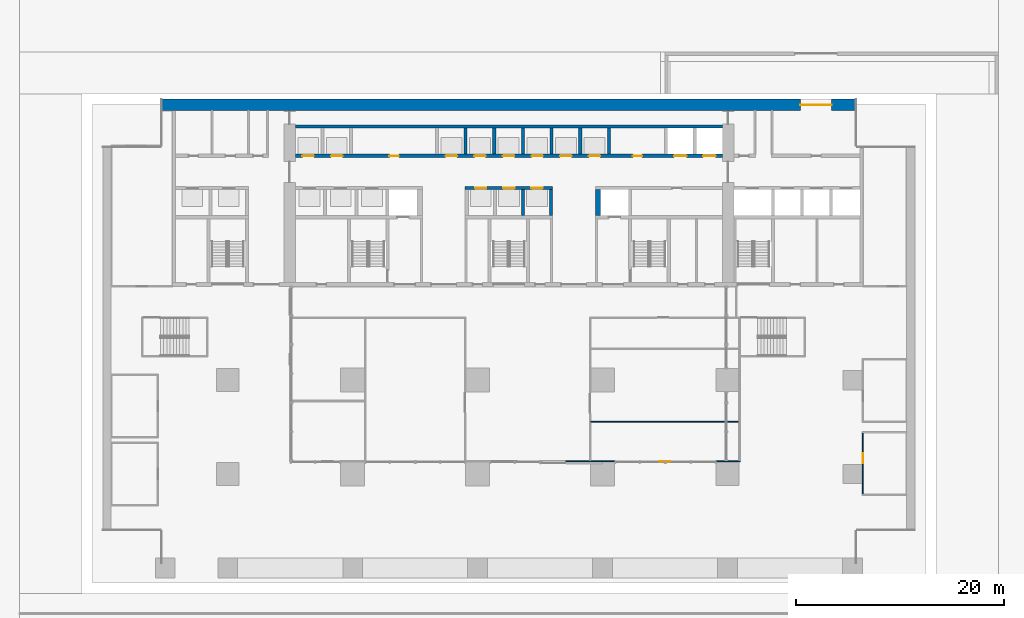
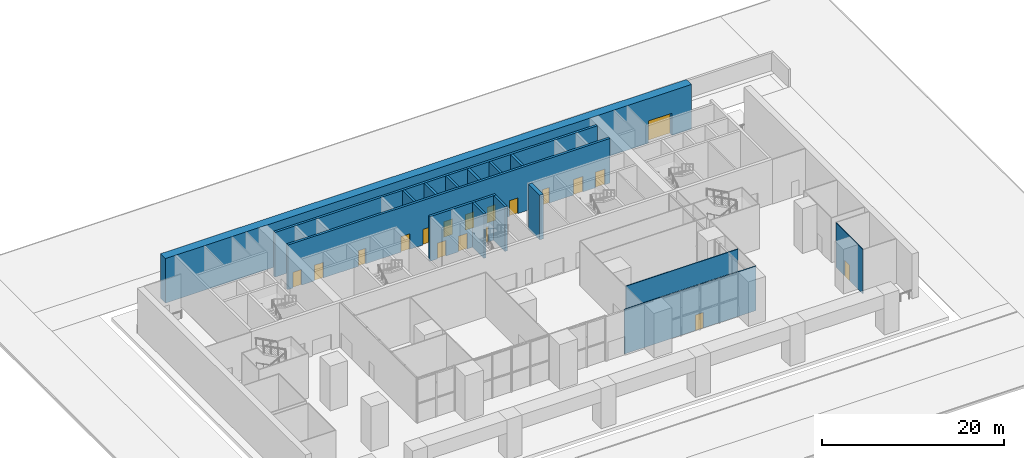
# One storey, part 8 of 16: 18 doors, 16 walls, 18 openings.
"""IFC4 building model written with IfcOpenShell, lengths in metres."""

from ifc_helpers import new_model, si_unit, direction, frame, frame_2d, origin, place, context, subcontext, project, spatial, rectangle, extrude, material, layer, layer_set, type_object, element, fill, save


model = new_model("IFC4")

# Units and contexts
model_context = context("Model", 3, precision=1e-05, world=origin(), true_north=direction((0.0, 1.0)))
body_context = subcontext(model_context, "Body", "Model", "MODEL_VIEW")
ifc_project = project(units=[si_unit("LENGTHUNIT", "METRE"), si_unit("AREAUNIT", "SQUARE_METRE"), si_unit("VOLUMEUNIT", "CUBIC_METRE"), si_unit("PLANEANGLEUNIT", "RADIAN"), si_unit("MASSUNIT", "GRAM", prefix="KILO")], contexts=[model_context])

# Site, building, storey
site_placement = place(None, origin())
site = spatial("IfcSite", under=ifc_project, at=site_placement, CompositionType="ELEMENT")
building_placement = place(site_placement, origin())
building = spatial("IfcBuilding", under=site, at=building_placement, Name="Calvaro Tower", CompositionType="ELEMENT")
storey_placement = place(building_placement, origin())
storey = spatial("IfcBuildingStorey", under=building, at=storey_placement, Name="L00", CompositionType="ELEMENT", Elevation=0.0)

# Wall, openings, doors
ifc_material_1 = material(Name="Concrete C80/95", Category="concrete")
ifc_layer_1 = layer(ifc_material_1, 0.300048828125)
ifc_layer_set_1 = layer_set([ifc_layer_1], Name="Concrete C80/95")
wall_type_1 = type_object("IfcWallType", Name="Core wall C80/95 300", PredefinedType="SHEAR", material=ifc_layer_set_1)
wall_1_placement = place(storey_placement, frame((34.800048828125, 37.449951171875, 0.0), z_axis=(0.0, 0.0, 1.0), x_axis=(1.0, 0.0, 0.0)))
wall_1 = element("IfcWall", 1, at=wall_1_placement, inside=storey, type_object=wall_type_1, Name="Core wall, lift shaft", PredefinedType="SHEAR", context=body_context, shape_type="SweptSolid", body=[
    extrude(rectangle(XDim=8.39990234375, YDim=0.300048828125, at=frame_2d((4.199951171875, 0.0))), origin(), (0.0, 0.0, 1.0), 6.0),
])
opening_1_placement = place(wall_1_placement, frame((0.949951171875, 0.0, 0.0)))
opening_1 = element("IfcOpeningElement", 2, at=opening_1_placement, cuts=wall_1, Name="Opening LR4", PredefinedType="OPENING", context=body_context, shape_type="SweptSolid", body=[
    extrude(rectangle(XDim=1.10009765625, YDim=2.10009765625, at=frame_2d((0.550048828125, 1.050048828125))), frame((0.0, 0.159912109375, 0.0), z_axis=(0.0, -1.0, 0.0), x_axis=(1.0, 0.0, 0.0)), (0.0, 0.0, 1.0), 0.320068359375),
])
opening_2_placement = place(wall_1_placement, frame((3.64990234375, 0.0, 0.0)))
opening_2 = element("IfcOpeningElement", 3, at=opening_2_placement, cuts=wall_1, Name="Opening LR5", PredefinedType="OPENING", context=body_context, shape_type="SweptSolid", body=[
    extrude(rectangle(XDim=1.10009765625, YDim=2.10009765625, at=frame_2d((0.550048828125, 1.050048828125))), frame((0.0, 0.159912109375, 0.0), z_axis=(0.0, -1.0, 0.0), x_axis=(1.0, 0.0, 0.0)), (0.0, 0.0, 1.0), 0.320068359375),
])
opening_3_placement = place(wall_1_placement, frame((6.35009765625, 0.0, 0.0)))
opening_3 = element("IfcOpeningElement", 4, at=opening_3_placement, cuts=wall_1, Name="Opening LR6", PredefinedType="OPENING", context=body_context, shape_type="SweptSolid", body=[
    extrude(rectangle(XDim=1.10009765625, YDim=2.10009765625, at=frame_2d((0.550048828125, 1.050048828125))), frame((0.0, 0.159912109375, 0.0), z_axis=(0.0, -1.0, 0.0), x_axis=(1.0, 0.0, 0.0)), (0.0, 0.0, 1.0), 0.320068359375),
])
ifc_material_2 = material(Name="Stainless steel", Category="steel")
door_type_1 = type_object("IfcDoorType", Name="Landing door 1100 E 60", OperationType="SLIDING_TO_LEFT", PredefinedType="DOOR", material=ifc_material_2)
door_1_placement = place(opening_1_placement, origin())
door_1 = element("IfcDoor", 5, at=door_1_placement, inside=storey, type_object=door_type_1, Name="Landing door LR4", OperationType="SLIDING_TO_LEFT", OverallHeight=2.10009765625, OverallWidth=1.10009765625, PredefinedType="DOOR", context=body_context, shape_type="SweptSolid", body=[
    extrude(rectangle(XDim=1.10009765625, YDim=2.10009765625, at=frame_2d((0.550048828125, 1.050048828125))), frame((0.0, 0.02490234375, 0.0), z_axis=(0.0, -1.0, 0.0), x_axis=(1.0, 0.0, 0.0)), (0.0, 0.0, 1.0), 0.050048828125),
])
fill(opening_1, door_1)
door_2_placement = place(opening_2_placement, origin())
door_2 = element("IfcDoor", 6, at=door_2_placement, inside=storey, type_object=door_type_1, Name="Landing door LR5", OperationType="SLIDING_TO_LEFT", OverallHeight=2.10009765625, OverallWidth=1.10009765625, PredefinedType="DOOR", context=body_context, shape_type="SweptSolid", body=[
    extrude(rectangle(XDim=1.10009765625, YDim=2.10009765625, at=frame_2d((0.550048828125, 1.050048828125))), frame((0.0, 0.02490234375, 0.0), z_axis=(0.0, -1.0, 0.0), x_axis=(1.0, 0.0, 0.0)), (0.0, 0.0, 1.0), 0.050048828125),
])
fill(opening_2, door_2)
door_3_placement = place(opening_3_placement, origin())
door_3 = element("IfcDoor", 7, at=door_3_placement, inside=storey, type_object=door_type_1, Name="Landing door LR6", OperationType="SLIDING_TO_LEFT", OverallHeight=2.10009765625, OverallWidth=1.10009765625, PredefinedType="DOOR", context=body_context, shape_type="SweptSolid", body=[
    extrude(rectangle(XDim=1.10009765625, YDim=2.10009765625, at=frame_2d((0.550048828125, 1.050048828125))), frame((0.0, 0.02490234375, 0.0), z_axis=(0.0, -1.0, 0.0), x_axis=(1.0, 0.0, 0.0)), (0.0, 0.0, 1.0), 0.050048828125),
])
fill(opening_3, door_3)

# Wall
wall_2_placement = place(storey_placement, frame((43.050048828125, 34.800048828125, 0.0), z_axis=(0.0, 0.0, 1.0), x_axis=(0.0, 1.0, 0.0)))
element("IfcWall", 8, at=wall_2_placement, inside=storey, type_object=wall_type_1, Name="Core wall, lift shaft", PredefinedType="SHEAR", context=body_context, shape_type="SweptSolid", body=[
    extrude(rectangle(XDim=2.5, YDim=0.300048828125, at=frame_2d((1.25, 0.0))), origin(), (0.0, 0.0, 1.0), 6.0),
])

# Wall, openings, doors
wall_3_placement = place(storey_placement, frame((18.5, 40.550048828125, 0.0), z_axis=(0.0, 0.0, 1.0), x_axis=(1.0, 0.0, 0.0)))
wall_3 = element("IfcWall", 9, at=wall_3_placement, inside=storey, type_object=wall_type_1, Name="Core wall, bay", PredefinedType="SHEAR", context=body_context, shape_type="SweptSolid", body=[
    extrude(rectangle(XDim=41.0, YDim=0.300048828125, at=frame_2d((20.5, 0.0))), origin(), (0.0, 0.0, 1.0), 6.0),
])
opening_4_placement = place(wall_3_placement, frame((9.02490234375, 0.0, 0.0)))
opening_4 = element("IfcOpeningElement", 10, at=opening_4_placement, cuts=wall_3, Name="Opening RD9C", PredefinedType="OPENING", context=body_context, shape_type="SweptSolid", body=[
    extrude(rectangle(XDim=0.89990234375, YDim=2.10009765625, at=frame_2d((0.449951171875, 1.050048828125))), frame((0.0, 0.159912109375, 0.0), z_axis=(0.0, -1.0, 0.0), x_axis=(1.0, 0.0, 0.0)), (0.0, 0.0, 1.0), 0.320068359375),
])
opening_5_placement = place(wall_3_placement, frame((32.39990234375, 0.0, 0.0)))
opening_5 = element("IfcOpeningElement", 11, at=opening_5_placement, cuts=wall_3, Name="Opening RD9C", PredefinedType="OPENING", context=body_context, shape_type="SweptSolid", body=[
    extrude(rectangle(XDim=0.89990234375, YDim=2.10009765625, at=frame_2d((0.449951171875, 1.050048828125))), frame((0.0, 0.159912109375, 0.0), z_axis=(0.0, -1.0, 0.0), x_axis=(1.0, 0.0, 0.0)), (0.0, 0.0, 1.0), 0.320068359375),
])
opening_6_placement = place(wall_3_placement, frame((0.675048828125, 0.0, 0.0)))
opening_6 = element("IfcOpeningElement", 12, at=opening_6_placement, cuts=wall_3, Name="Opening SH1", PredefinedType="OPENING", context=body_context, shape_type="SweptSolid", body=[
    extrude(rectangle(XDim=1.10009765625, YDim=2.10009765625, at=frame_2d((0.550048828125, 1.050048828125))), frame((0.0, 0.159912109375, 0.0), z_axis=(0.0, -1.0, 0.0), x_axis=(1.0, 0.0, 0.0)), (0.0, 0.0, 1.0), 0.320068359375),
])
opening_7_placement = place(wall_3_placement, frame((3.425048828125, 0.0, 0.0)))
opening_7 = element("IfcOpeningElement", 13, at=opening_7_placement, cuts=wall_3, Name="Opening SH2", PredefinedType="OPENING", context=body_context, shape_type="SweptSolid", body=[
    extrude(rectangle(XDim=1.10009765625, YDim=2.10009765625, at=frame_2d((0.550048828125, 1.050048828125))), frame((0.0, 0.159912109375, 0.0), z_axis=(0.0, -1.0, 0.0), x_axis=(1.0, 0.0, 0.0)), (0.0, 0.0, 1.0), 0.320068359375),
])
opening_8_placement = place(wall_3_placement, frame((14.425048828125, 0.0, 0.0)))
opening_8 = element("IfcOpeningElement", 14, at=opening_8_placement, cuts=wall_3, Name="Opening LR7", PredefinedType="OPENING", context=body_context, shape_type="SweptSolid", body=[
    extrude(rectangle(XDim=1.10009765625, YDim=2.10009765625, at=frame_2d((0.550048828125, 1.050048828125))), frame((0.0, 0.159912109375, 0.0), z_axis=(0.0, -1.0, 0.0), x_axis=(1.0, 0.0, 0.0)), (0.0, 0.0, 1.0), 0.320068359375),
])
opening_9_placement = place(wall_3_placement, frame((17.175048828125, 0.0, 0.0)))
opening_9 = element("IfcOpeningElement", 15, at=opening_9_placement, cuts=wall_3, Name="Opening LR8", PredefinedType="OPENING", context=body_context, shape_type="SweptSolid", body=[
    extrude(rectangle(XDim=1.10009765625, YDim=2.10009765625, at=frame_2d((0.550048828125, 1.050048828125))), frame((0.0, 0.159912109375, 0.0), z_axis=(0.0, -1.0, 0.0), x_axis=(1.0, 0.0, 0.0)), (0.0, 0.0, 1.0), 0.320068359375),
])
opening_10_placement = place(wall_3_placement, frame((19.925048828125, 0.0, 0.0)))
opening_10 = element("IfcOpeningElement", 16, at=opening_10_placement, cuts=wall_3, Name="Opening LR9", PredefinedType="OPENING", context=body_context, shape_type="SweptSolid", body=[
    extrude(rectangle(XDim=1.10009765625, YDim=2.10009765625, at=frame_2d((0.550048828125, 1.050048828125))), frame((0.0, 0.159912109375, 0.0), z_axis=(0.0, -1.0, 0.0), x_axis=(1.0, 0.0, 0.0)), (0.0, 0.0, 1.0), 0.320068359375),
])
opening_11_placement = place(wall_3_placement, frame((22.675048828125, 0.0, 0.0)))
opening_11 = element("IfcOpeningElement", 17, at=opening_11_placement, cuts=wall_3, Name="Opening LR10", PredefinedType="OPENING", context=body_context, shape_type="SweptSolid", body=[
    extrude(rectangle(XDim=1.10009765625, YDim=2.10009765625, at=frame_2d((0.550048828125, 1.050048828125))), frame((0.0, 0.159912109375, 0.0), z_axis=(0.0, -1.0, 0.0), x_axis=(1.0, 0.0, 0.0)), (0.0, 0.0, 1.0), 0.320068359375),
])
opening_12_placement = place(wall_3_placement, frame((25.425048828125, 0.0, 0.0)))
opening_12 = element("IfcOpeningElement", 18, at=opening_12_placement, cuts=wall_3, Name="Opening SH3", PredefinedType="OPENING", context=body_context, shape_type="SweptSolid", body=[
    extrude(rectangle(XDim=1.10009765625, YDim=2.10009765625, at=frame_2d((0.550048828125, 1.050048828125))), frame((0.0, 0.159912109375, 0.0), z_axis=(0.0, -1.0, 0.0), x_axis=(1.0, 0.0, 0.0)), (0.0, 0.0, 1.0), 0.320068359375),
])
opening_13_placement = place(wall_3_placement, frame((28.175048828125, 0.0, 0.0)))
opening_13 = element("IfcOpeningElement", 19, at=opening_13_placement, cuts=wall_3, Name="Opening SH4", PredefinedType="OPENING", context=body_context, shape_type="SweptSolid", body=[
    extrude(rectangle(XDim=1.10009765625, YDim=2.10009765625, at=frame_2d((0.550048828125, 1.050048828125))), frame((0.0, 0.159912109375, 0.0), z_axis=(0.0, -1.0, 0.0), x_axis=(1.0, 0.0, 0.0)), (0.0, 0.0, 1.0), 0.320068359375),
])
opening_14_placement = place(wall_3_placement, frame((36.375, 0.0, 0.0)))
opening_14 = element("IfcOpeningElement", 20, at=opening_14_placement, cuts=wall_3, Name="Opening SV1", PredefinedType="OPENING", context=body_context, shape_type="SweptSolid", body=[
    extrude(rectangle(XDim=1.199951171875, YDim=2.10009765625, at=frame_2d((0.60009765625, 1.050048828125))), frame((0.0, 0.159912109375, 0.0), z_axis=(0.0, -1.0, 0.0), x_axis=(1.0, 0.0, 0.0)), (0.0, 0.0, 1.0), 0.320068359375),
])
opening_15_placement = place(wall_3_placement, frame((39.14990234375, 0.0, 0.0)))
opening_15 = element("IfcOpeningElement", 21, at=opening_15_placement, cuts=wall_3, Name="Opening SV2", PredefinedType="OPENING", context=body_context, shape_type="SweptSolid", body=[
    extrude(rectangle(XDim=1.199951171875, YDim=2.10009765625, at=frame_2d((0.60009765625, 1.050048828125))), frame((0.0, 0.159912109375, 0.0), z_axis=(0.0, -1.0, 0.0), x_axis=(1.0, 0.0, 0.0)), (0.0, 0.0, 1.0), 0.320068359375),
])
door_4_placement = place(opening_6_placement, origin())
door_4 = element("IfcDoor", 22, at=door_4_placement, inside=storey, type_object=door_type_1, Name="Landing door SH1", OperationType="SLIDING_TO_LEFT", OverallHeight=2.10009765625, OverallWidth=1.10009765625, PredefinedType="DOOR", context=body_context, shape_type="SweptSolid", body=[
    extrude(rectangle(XDim=1.10009765625, YDim=2.10009765625, at=frame_2d((0.550048828125, 1.050048828125))), frame((0.0, 0.02490234375, 0.0), z_axis=(0.0, -1.0, 0.0), x_axis=(1.0, 0.0, 0.0)), (0.0, 0.0, 1.0), 0.050048828125),
])
fill(opening_6, door_4)
door_5_placement = place(opening_7_placement, origin())
door_5 = element("IfcDoor", 23, at=door_5_placement, inside=storey, type_object=door_type_1, Name="Landing door SH2", OperationType="SLIDING_TO_LEFT", OverallHeight=2.10009765625, OverallWidth=1.10009765625, PredefinedType="DOOR", context=body_context, shape_type="SweptSolid", body=[
    extrude(rectangle(XDim=1.10009765625, YDim=2.10009765625, at=frame_2d((0.550048828125, 1.050048828125))), frame((0.0, 0.02490234375, 0.0), z_axis=(0.0, -1.0, 0.0), x_axis=(1.0, 0.0, 0.0)), (0.0, 0.0, 1.0), 0.050048828125),
])
fill(opening_7, door_5)
door_6_placement = place(opening_8_placement, origin())
door_6 = element("IfcDoor", 24, at=door_6_placement, inside=storey, type_object=door_type_1, Name="Landing door LR7", OperationType="SLIDING_TO_LEFT", OverallHeight=2.10009765625, OverallWidth=1.10009765625, PredefinedType="DOOR", context=body_context, shape_type="SweptSolid", body=[
    extrude(rectangle(XDim=1.10009765625, YDim=2.10009765625, at=frame_2d((0.550048828125, 1.050048828125))), frame((0.0, 0.02490234375, 0.0), z_axis=(0.0, -1.0, 0.0), x_axis=(1.0, 0.0, 0.0)), (0.0, 0.0, 1.0), 0.050048828125),
])
fill(opening_8, door_6)
door_7_placement = place(opening_9_placement, origin())
door_7 = element("IfcDoor", 25, at=door_7_placement, inside=storey, type_object=door_type_1, Name="Landing door LR8", OperationType="SLIDING_TO_LEFT", OverallHeight=2.10009765625, OverallWidth=1.10009765625, PredefinedType="DOOR", context=body_context, shape_type="SweptSolid", body=[
    extrude(rectangle(XDim=1.10009765625, YDim=2.10009765625, at=frame_2d((0.550048828125, 1.050048828125))), frame((0.0, 0.02490234375, 0.0), z_axis=(0.0, -1.0, 0.0), x_axis=(1.0, 0.0, 0.0)), (0.0, 0.0, 1.0), 0.050048828125),
])
fill(opening_9, door_7)
door_8_placement = place(opening_10_placement, origin())
door_8 = element("IfcDoor", 26, at=door_8_placement, inside=storey, type_object=door_type_1, Name="Landing door LR9", OperationType="SLIDING_TO_LEFT", OverallHeight=2.10009765625, OverallWidth=1.10009765625, PredefinedType="DOOR", context=body_context, shape_type="SweptSolid", body=[
    extrude(rectangle(XDim=1.10009765625, YDim=2.10009765625, at=frame_2d((0.550048828125, 1.050048828125))), frame((0.0, 0.02490234375, 0.0), z_axis=(0.0, -1.0, 0.0), x_axis=(1.0, 0.0, 0.0)), (0.0, 0.0, 1.0), 0.050048828125),
])
fill(opening_10, door_8)
door_9_placement = place(opening_11_placement, origin())
door_9 = element("IfcDoor", 27, at=door_9_placement, inside=storey, type_object=door_type_1, Name="Landing door LR10", OperationType="SLIDING_TO_LEFT", OverallHeight=2.10009765625, OverallWidth=1.10009765625, PredefinedType="DOOR", context=body_context, shape_type="SweptSolid", body=[
    extrude(rectangle(XDim=1.10009765625, YDim=2.10009765625, at=frame_2d((0.550048828125, 1.050048828125))), frame((0.0, 0.02490234375, 0.0), z_axis=(0.0, -1.0, 0.0), x_axis=(1.0, 0.0, 0.0)), (0.0, 0.0, 1.0), 0.050048828125),
])
fill(opening_11, door_9)
door_10_placement = place(opening_12_placement, origin())
door_10 = element("IfcDoor", 28, at=door_10_placement, inside=storey, type_object=door_type_1, Name="Landing door SH3", OperationType="SLIDING_TO_LEFT", OverallHeight=2.10009765625, OverallWidth=1.10009765625, PredefinedType="DOOR", context=body_context, shape_type="SweptSolid", body=[
    extrude(rectangle(XDim=1.10009765625, YDim=2.10009765625, at=frame_2d((0.550048828125, 1.050048828125))), frame((0.0, 0.02490234375, 0.0), z_axis=(0.0, -1.0, 0.0), x_axis=(1.0, 0.0, 0.0)), (0.0, 0.0, 1.0), 0.050048828125),
])
fill(opening_12, door_10)
door_11_placement = place(opening_13_placement, origin())
door_11 = element("IfcDoor", 29, at=door_11_placement, inside=storey, type_object=door_type_1, Name="Landing door SH4", OperationType="SLIDING_TO_LEFT", OverallHeight=2.10009765625, OverallWidth=1.10009765625, PredefinedType="DOOR", context=body_context, shape_type="SweptSolid", body=[
    extrude(rectangle(XDim=1.10009765625, YDim=2.10009765625, at=frame_2d((0.550048828125, 1.050048828125))), frame((0.0, 0.02490234375, 0.0), z_axis=(0.0, -1.0, 0.0), x_axis=(1.0, 0.0, 0.0)), (0.0, 0.0, 1.0), 0.050048828125),
])
fill(opening_13, door_11)
ifc_material_3 = material(Name="Stainless steel", Category="steel")
door_type_2 = type_object("IfcDoorType", Name="Landing door 1200 E 60", OperationType="SLIDING_TO_LEFT", PredefinedType="DOOR", material=ifc_material_3)
door_12_placement = place(opening_14_placement, origin())
door_12 = element("IfcDoor", 30, at=door_12_placement, inside=storey, type_object=door_type_2, Name="Landing door SV1", OperationType="SLIDING_TO_LEFT", OverallHeight=2.10009765625, OverallWidth=1.199951171875, PredefinedType="DOOR", context=body_context, shape_type="SweptSolid", body=[
    extrude(rectangle(XDim=1.199951171875, YDim=2.10009765625, at=frame_2d((0.60009765625, 1.050048828125))), frame((0.0, 0.02490234375, 0.0), z_axis=(0.0, -1.0, 0.0), x_axis=(1.0, 0.0, 0.0)), (0.0, 0.0, 1.0), 0.050048828125),
])
fill(opening_14, door_12)
door_13_placement = place(opening_15_placement, origin())
door_13 = element("IfcDoor", 31, at=door_13_placement, inside=storey, type_object=door_type_2, Name="Landing door SV2", OperationType="SLIDING_TO_LEFT", OverallHeight=2.10009765625, OverallWidth=1.199951171875, PredefinedType="DOOR", context=body_context, shape_type="SweptSolid", body=[
    extrude(rectangle(XDim=1.199951171875, YDim=2.10009765625, at=frame_2d((0.60009765625, 1.050048828125))), frame((0.0, 0.02490234375, 0.0), z_axis=(0.0, -1.0, 0.0), x_axis=(1.0, 0.0, 0.0)), (0.0, 0.0, 1.0), 0.050048828125),
])
fill(opening_15, door_13)
ifc_material_4 = material(Name="Steel door set", Category="steel")
door_type_3 = type_object("IfcDoorType", Name="Room door 900 FD30", OperationType="SINGLE_SWING_LEFT", PredefinedType="DOOR", material=ifc_material_4)
door_14_placement = place(opening_4_placement, origin())
door_14 = element("IfcDoor", 32, at=door_14_placement, inside=storey, type_object=door_type_3, Name="Room door", OperationType="SINGLE_SWING_RIGHT", OverallHeight=2.10009765625, OverallWidth=0.89990234375, PredefinedType="DOOR", context=body_context, shape_type="SweptSolid", body=[
    extrude(rectangle(XDim=0.89990234375, YDim=2.10009765625, at=frame_2d((0.449951171875, 1.050048828125))), frame((0.0, 0.02490234375, 0.0), z_axis=(0.0, -1.0, 0.0), x_axis=(1.0, 0.0, 0.0)), (0.0, 0.0, 1.0), 0.050048828125),
])
fill(opening_4, door_14)
door_15_placement = place(opening_5_placement, origin())
door_15 = element("IfcDoor", 33, at=door_15_placement, inside=storey, type_object=door_type_3, Name="Room door", OperationType="SINGLE_SWING_LEFT", OverallHeight=2.10009765625, OverallWidth=0.89990234375, PredefinedType="DOOR", context=body_context, shape_type="SweptSolid", body=[
    extrude(rectangle(XDim=0.89990234375, YDim=2.10009765625, at=frame_2d((0.449951171875, 1.050048828125))), frame((0.0, 0.02490234375, 0.0), z_axis=(0.0, -1.0, 0.0), x_axis=(1.0, 0.0, 0.0)), (0.0, 0.0, 1.0), 0.050048828125),
])
fill(opening_5, door_15)

# Walls
wall_4_placement = place(storey_placement, frame((18.5, 43.35009765625, 0.0), z_axis=(0.0, 0.0, 1.0), x_axis=(1.0, 0.0, 0.0)))
element("IfcWall", 34, at=wall_4_placement, inside=storey, type_object=wall_type_1, Name="Core wall, lift shaft", PredefinedType="SHEAR", context=body_context, shape_type="SweptSolid", body=[
    extrude(rectangle(XDim=41.0, YDim=0.300048828125, at=frame_2d((20.5, 0.0))), origin(), (0.0, 0.0, 1.0), 6.0),
])
for number, where, z_axis, x_axis, name in (
    (35, (40.35009765625, 34.800048828125, 0.0), (0.0, 0.0, 1.0), (0.0, 1.0, 0.0), "Core wall, lift shaft"),
    (36, (34.85009765625, 40.699951171875, 0.0), (0.0, 0.0, 1.0), (0.0, 1.0, 0.0), "Core wall, lift shaft"),
    (37, (37.60009765625, 40.699951171875, 0.0), (0.0, 0.0, 1.0), (0.0, 1.0, 0.0), "Core wall, lift shaft"),
    (38, (40.35009765625, 40.699951171875, 0.0), (0.0, 0.0, 1.0), (0.0, 1.0, 0.0), "Core wall, lift shaft"),
    (39, (43.10009765625, 40.699951171875, 0.0), (0.0, 0.0, 1.0), (0.0, 1.0, 0.0), "Core wall, lift shaft"),
    (40, (45.85009765625, 40.699951171875, 0.0), (0.0, 0.0, 1.0), (0.0, 1.0, 0.0), "Core wall, lift shaft"),
    (41, (48.60009765625, 40.699951171875, 0.0), (0.0, 0.0, 1.0), (0.0, 1.0, 0.0), "Core wall, lift shaft"),
):
    element("IfcWall", number, at=place(storey_placement, frame(where, z_axis=z_axis, x_axis=x_axis)), inside=storey, type_object=wall_type_1, Name=name, PredefinedType="SHEAR", context=body_context, shape_type="SweptSolid", body=[
        extrude(rectangle(XDim=2.5, YDim=0.300048828125, at=frame_2d((1.25, 0.0))), origin(), (0.0, 0.0, 1.0), 6.0),
    ])
ifc_material_5 = material(Name="Concrete C80/95", Category="concrete")
ifc_layer_2 = layer(ifc_material_5, 0.5)
ifc_layer_set_2 = layer_set([ifc_layer_2], Name="Concrete C80/95")
wall_type_2 = type_object("IfcWallType", Name="Core wall C80/95 500", PredefinedType="SHEAR", material=ifc_layer_set_2)
wall_5_placement = place(storey_placement, frame((47.550048828125, 34.800048828125, 0.0), z_axis=(0.0, 0.0, 1.0), x_axis=(0.0, 1.0, 0.0)))
element("IfcWall", 42, at=wall_5_placement, inside=storey, type_object=wall_type_2, Name="Core wall, lift shaft", PredefinedType="SHEAR", context=body_context, shape_type="SweptSolid", body=[
    extrude(rectangle(XDim=2.5, YDim=0.5, at=frame_2d((1.25, 0.0))), origin(), (0.0, 0.0, 1.0), 6.0),
])

# Wall, opening, door
ifc_material_6 = material(Name="Glass", Category="glass")
ifc_layer_3 = layer(ifc_material_6, 0.10009765625)
ifc_layer_set_3 = layer_set([ifc_layer_3], Name="Glass")
wall_type_3 = type_object("IfcWallType", Name="External glazed partition 100", PredefinedType="PARTITIONING", material=ifc_layer_set_3)
wall_6_placement = place(storey_placement, frame((44.449951171875, 11.199951171875, 0.0), z_axis=(0.0, 0.0, 1.0), x_axis=(1.0, 0.0, 0.0)))
wall_6 = element("IfcWall", 43, at=wall_6_placement, inside=storey, type_object=wall_type_3, Name="Partition T03.W004", PredefinedType="PARTITIONING", context=body_context, shape_type="SweptSolid", body=[
    extrude(rectangle(XDim=16.75, YDim=0.10009765625, at=frame_2d((8.375, 0.0))), origin(), (0.0, 0.0, 1.0), 6.0),
])
opening_16_placement = place(wall_6_placement, frame((9.02490234375, 0.0, 0.0)))
opening_16 = element("IfcOpeningElement", 44, at=opening_16_placement, cuts=wall_6, Name="Opening T03.005", PredefinedType="OPENING", context=body_context, shape_type="SweptSolid", body=[
    extrude(rectangle(XDim=1.0, YDim=2.10009765625, at=frame_2d((0.5, 1.050048828125))), frame((0.0, 0.06005859375, 0.0), z_axis=(0.0, -1.0, 0.0), x_axis=(1.0, 0.0, 0.0)), (0.0, 0.0, 1.0), 0.1201171875),
])
ifc_material_7 = material(Name="Glass", Category="glass")
door_type_4 = type_object("IfcDoorType", Name="External glazed single door 1000 x 2100", OperationType="SINGLE_SWING_LEFT", PredefinedType="DOOR", material=ifc_material_7)
door_16_placement = place(opening_16_placement, frame((1.0, 0.0, 0.0), z_axis=(0.0, 0.0, 1.0), x_axis=(-1.0, 0.0, 0.0)))
door_16 = element("IfcDoor", 45, at=door_16_placement, inside=storey, type_object=door_type_4, Name="Door T03.005", OperationType="SINGLE_SWING_LEFT", OverallHeight=2.10009765625, OverallWidth=1.0, PredefinedType="DOOR", context=body_context, shape_type="SweptSolid", body=[
    extrude(rectangle(XDim=1.0, YDim=2.10009765625, at=frame_2d((0.5, 1.050048828125))), frame((0.0, 0.02490234375, 0.0), z_axis=(0.0, -1.0, 0.0), x_axis=(1.0, 0.0, 0.0)), (0.0, 0.0, 1.0), 0.050048828125),
])
fill(opening_16, door_16)

ifc_material_8 = material(Name="Plasterboard on steel studs", Category="steel")
ifc_layer_4 = layer(ifc_material_8, 0.10009765625)
ifc_layer_set_4 = layer_set([ifc_layer_4], Name="Plasterboard on steel studs")
wall_type_4 = type_object("IfcWallType", Name="External partition 100", PredefinedType="PARTITIONING", material=ifc_layer_set_4)
wall_7_placement = place(storey_placement, frame((73.0, 8.050048828125, 0.0), z_axis=(0.0, 0.0, 1.0), x_axis=(0.0, 1.0, 0.0)))
wall_7 = element("IfcWall", 46, at=wall_7_placement, inside=storey, type_object=wall_type_4, Name="Partition T03.W035", PredefinedType="PARTITIONING", context=body_context, shape_type="SweptSolid", body=[
    extrude(rectangle(XDim=5.89990234375, YDim=0.10009765625, at=frame_2d((2.949951171875, 0.0))), origin(), (0.0, 0.0, 1.0), 6.0),
])
opening_17_placement = place(wall_7_placement, frame((2.949951171875, 0.0, 0.0)))
opening_17 = element("IfcOpeningElement", 47, at=opening_17_placement, cuts=wall_7, Name="Opening T03.004", PredefinedType="OPENING", context=body_context, shape_type="SweptSolid", body=[
    extrude(rectangle(XDim=1.0, YDim=2.10009765625, at=frame_2d((0.5, 1.050048828125))), frame((0.0, 0.06005859375, 0.0), z_axis=(0.0, -1.0, 0.0), x_axis=(1.0, 0.0, 0.0)), (0.0, 0.0, 1.0), 0.1201171875),
])
ifc_material_9 = material(Name="Timber", Category="wood")
door_type_5 = type_object("IfcDoorType", Name="External single door 1000 x 2100", OperationType="SINGLE_SWING_LEFT", PredefinedType="DOOR", material=ifc_material_9)
door_17_placement = place(opening_17_placement, origin())
door_17 = element("IfcDoor", 48, at=door_17_placement, inside=storey, type_object=door_type_5, Name="Door T03.004", OperationType="SINGLE_SWING_RIGHT", OverallHeight=2.10009765625, OverallWidth=1.0, PredefinedType="DOOR", context=body_context, shape_type="SweptSolid", body=[
    extrude(rectangle(XDim=1.0, YDim=2.10009765625, at=frame_2d((0.5, 1.050048828125))), frame((0.0, 0.02490234375, 0.0), z_axis=(0.0, -1.0, 0.0), x_axis=(1.0, 0.0, 0.0)), (0.0, 0.0, 1.0), 0.050048828125),
])
fill(opening_17, door_17)

# Wall
ifc_material_10 = material(Name="Glass", Category="glass")
ifc_layer_5 = layer(ifc_material_10, 0.10009765625)
ifc_layer_set_5 = layer_set([ifc_layer_5], Name="Glass")
wall_type_5 = type_object("IfcWallType", Name="Glazed partition 100", PredefinedType="PARTITIONING", material=ifc_layer_set_5)
wall_8_placement = place(storey_placement, frame((46.85009765625, 15.0, 0.0), z_axis=(0.0, 0.0, 1.0), x_axis=(1.0, 0.0, 0.0)))
element("IfcWall", 49, at=wall_8_placement, inside=storey, type_object=wall_type_5, Name="Partition T03.W008", PredefinedType="PARTITIONING", context=body_context, shape_type="SweptSolid", body=[
    extrude(rectangle(XDim=14.25, YDim=0.10009765625, at=frame_2d((7.125, 0.0))), origin(), (0.0, 0.0, 1.0), 6.0),
])

# Wall, opening, door
ifc_material_11 = material(Name="Concrete C80/95", Category="concrete")
ifc_layer_6 = layer(ifc_material_11, 1.10009765625)
ifc_layer_set_6 = layer_set([ifc_layer_6], Name="Concrete C80/95")
wall_type_6 = type_object("IfcWallType", Name="Rear core wall 1100 C80/95", PredefinedType="SHEAR", material=ifc_layer_set_6)
wall_9_placement = place(storey_placement, frame((5.550048828125, 45.449951171875, 0.0), z_axis=(0.0, 0.0, 1.0), x_axis=(1.0, 0.0, 0.0)))
wall_9 = element("IfcWall", 50, at=wall_9_placement, inside=storey, type_object=wall_type_6, Name="North core wall", PredefinedType="SHEAR", context=body_context, shape_type="SweptSolid", body=[
    extrude(rectangle(XDim=66.89990234375, YDim=1.10009765625, at=frame_2d((33.449951171875, 0.0))), origin(), (0.0, 0.0, 1.0), 6.0),
])
opening_18_placement = place(wall_9_placement, frame((61.449951171875, 0.0, 0.0)))
opening_18 = element("IfcOpeningElement", 51, at=opening_18_placement, cuts=wall_9, Name="Opening DS1", PredefinedType="OPENING", context=body_context, shape_type="SweptSolid", body=[
    extrude(rectangle(XDim=3.0, YDim=3.0, at=frame_2d((1.5, 1.5))), frame((0.0, 0.56005859375, 0.0), z_axis=(0.0, -1.0, 0.0), x_axis=(1.0, 0.0, 0.0)), (0.0, 0.0, 1.0), 1.1201171875),
])
ifc_material_12 = material(Name="Steel S355", Category="steel")
door_type_6 = type_object("IfcDoorType", Name="Roller shutter door 3000 x 3000", OperationType="ROLLINGUP", PredefinedType="DOOR", material=ifc_material_12)
door_18_placement = place(opening_18_placement, origin())
door_18 = element("IfcDoor", 52, at=door_18_placement, inside=storey, type_object=door_type_6, Name="Service door", OperationType="ROLLINGUP", OverallHeight=3.0, OverallWidth=3.0, PredefinedType="DOOR", context=body_context, shape_type="SweptSolid", body=[
    extrude(rectangle(XDim=3.0, YDim=3.0, at=frame_2d((1.5, 1.5))), frame((0.0, 0.02490234375, 0.0), z_axis=(0.0, -1.0, 0.0), x_axis=(1.0, 0.0, 0.0)), (0.0, 0.0, 1.0), 0.050048828125),
])
fill(opening_18, door_18)

save(model, "model.ifc")
